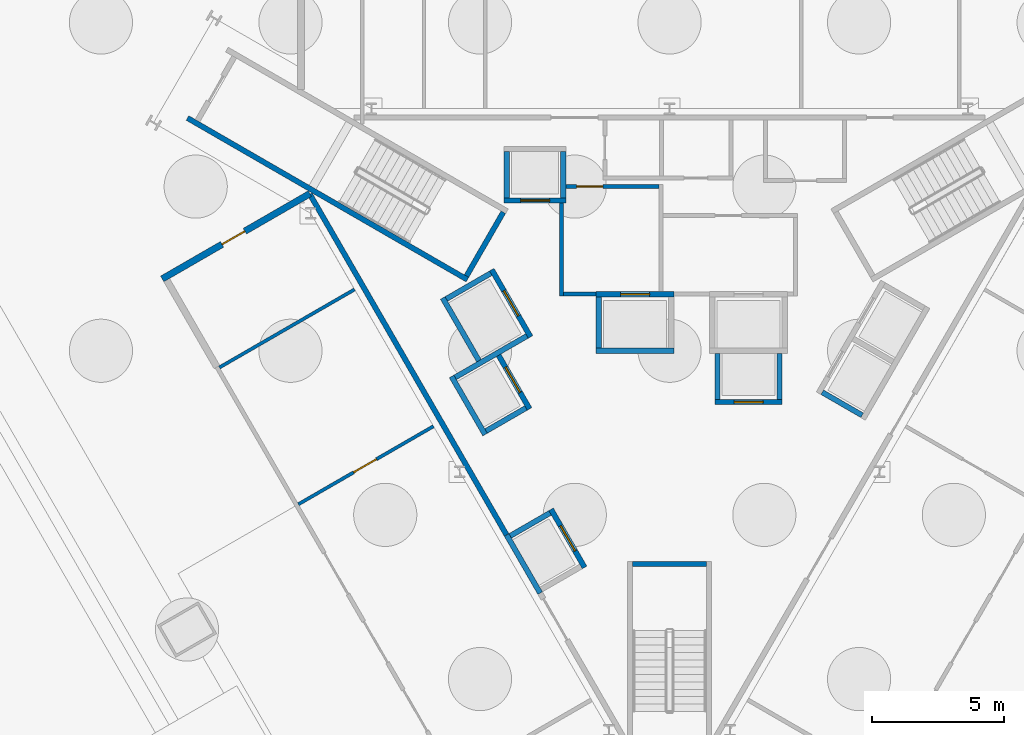
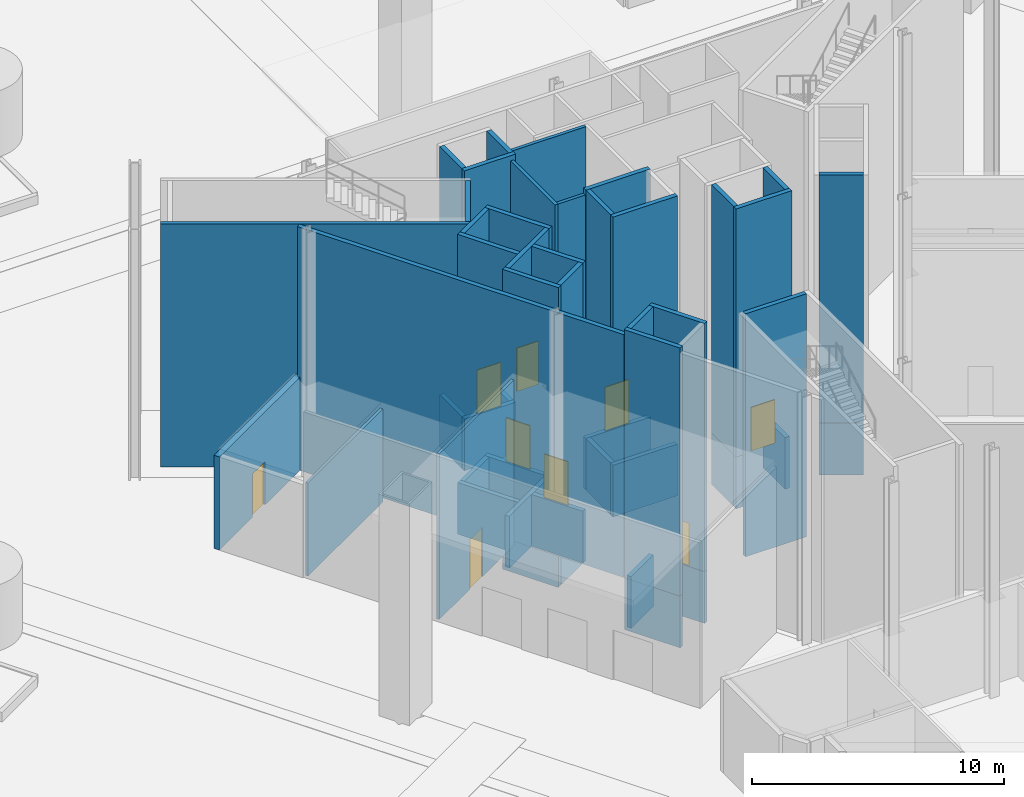
# One storey, part 6 of 22: 50 walls, 9 doors, 9 openings.
"""IFC4 building model written with IfcOpenShell, lengths in metres."""

from ifc_helpers import new_model, si_unit, direction, frame, frame_2d, origin, place, context, subcontext, project, spatial, rectangle, extrude, material, layer, layer_set, type_object, element, fill, save


model = new_model("IFC4")

# Units and contexts
model_context = context("Model", 3, precision=1e-05, world=origin(), true_north=direction((0.0, 1.0)))
body_context = subcontext(model_context, "Body", "Model", "MODEL_VIEW")
ifc_project = project(units=[si_unit("LENGTHUNIT", "METRE"), si_unit("AREAUNIT", "SQUARE_METRE"), si_unit("VOLUMEUNIT", "CUBIC_METRE"), si_unit("PLANEANGLEUNIT", "RADIAN"), si_unit("MASSUNIT", "GRAM", prefix="KILO")], contexts=[model_context])

# Site, building, storey
site_placement = place(None, origin())
site = spatial("IfcSite", under=ifc_project, at=site_placement, CompositionType="ELEMENT")
building_placement = place(site_placement, origin())
building = spatial("IfcBuilding", under=site, at=building_placement, Name="Verrane Prism Tower", CompositionType="ELEMENT")
storey_placement = place(building_placement, origin())
storey = spatial("IfcBuildingStorey", under=building, at=storey_placement, Name="L00", CompositionType="ELEMENT", Elevation=0.0)

# Wall
ifc_material_1 = material(Name="Concrete C25/30", Category="concrete")
ifc_layer_1 = layer(ifc_material_1, 0.125)
ifc_layer_set_1 = layer_set([ifc_layer_1], Name="CB-125 concrete block demising wall 3 h")
wall_type_1 = type_object("IfcWallType", Name="CB-125 concrete block demising wall 3 h", PredefinedType="SOLIDWALL", material=ifc_layer_set_1)
wall_1_placement = place(storey_placement, frame((-17.09912109375, -0.634521484375, 0.0), z_axis=(0.0, 0.0, 1.0), x_axis=(0.866069644281, 0.499923365382, 0.0)))
element("IfcWall", 1, at=wall_1_placement, inside=storey, type_object=wall_type_1, Name="Demising wall 003", PredefinedType="SOLIDWALL", context=body_context, shape_type="SweptSolid", body=[
    extrude(rectangle(XDim=5.92578125, YDim=0.125, at=frame_2d((2.962890625, 0.0))), origin(), (0.0, 0.0, 1.0), 4.5),
])

# Wall, opening, door
wall_2_placement = place(storey_placement, frame((-14.09912109375, -5.83056640625, 0.0), z_axis=(0.0, 0.0, 1.0), x_axis=(0.866051805705, 0.499954267743, 0.0)))
wall_2 = element("IfcWall", 2, at=wall_2_placement, inside=storey, type_object=wall_type_1, Name="Demising wall 005", PredefinedType="SOLIDWALL", context=body_context, shape_type="SweptSolid", body=[
    extrude(rectangle(XDim=5.92578125, YDim=0.125, at=frame_2d((2.962890625, 0.0))), origin(), (0.0, 0.0, 1.0), 8.0),
])
opening_1_placement = place(wall_2_placement, frame((2.425048828125, 0.0, 0.0)))
opening_1 = element("IfcOpeningElement", 3, at=opening_1_placement, cuts=wall_2, Name="Opening D00018", PredefinedType="OPENING", context=body_context, shape_type="SweptSolid", body=[
    extrude(rectangle(XDim=1.0, YDim=2.39990234375, at=frame_2d((0.5, 1.199951171875))), frame((0.0, 0.072509765625, 0.0), z_axis=(0.0, -1.0, 0.0), x_axis=(1.0, 0.0, 0.0)), (0.0, 0.0, 1.0), 0.14501953125),
])
ifc_material_2 = material(Name="Timber veneered door leaf", Category="wood")
door_type_1 = type_object("IfcDoorType", Name="DR-1000x2400 single leaf room", OperationType="NOTDEFINED", PredefinedType="DOOR", material=ifc_material_2)
door_1_placement = place(opening_1_placement, origin())
door_1 = element("IfcDoor", 4, at=door_1_placement, inside=storey, type_object=door_type_1, Name="Door Residences Concierge Office", OperationType="SINGLE_SWING_RIGHT", OverallHeight=2.39990234375, OverallWidth=1.0, PredefinedType="DOOR", context=body_context, shape_type="SweptSolid", body=[
    extrude(rectangle(XDim=1.0, YDim=2.39990234375, at=frame_2d((0.5, 1.199951171875))), frame((0.0, 0.02490234375, 0.0), z_axis=(0.0, -1.0, 0.0), x_axis=(1.0, 0.0, 0.0)), (0.0, 0.0, 1.0), 0.050048828125),
])
fill(opening_1, door_1)

# Walls
ifc_material_3 = material(Name="Gypsum board partition", Category="other")
ifc_layer_2 = layer(ifc_material_3, 0.199951171875)
ifc_layer_set_2 = layer_set([ifc_layer_2], Name="CW-200 core boundary wall 2 h")
wall_type_2 = type_object("IfcWallType", Name="CW-200 core boundary wall 2 h", PredefinedType="PARTITIONING", material=ifc_layer_set_2)
wall_3_placement = place(storey_placement, frame((-13.666015625, 5.950439453125, 0.0), z_axis=(0.0, 0.0, 1.0), x_axis=(0.499971736997, -0.866041720822, 0.0)))
element("IfcWall", 5, at=wall_3_placement, inside=storey, type_object=wall_type_2, Name="Core boundary wall CW3-001", PredefinedType="PARTITIONING", context=body_context, shape_type="SweptSolid", body=[
    extrude(rectangle(XDim=14.948974609375, YDim=0.199951171875, at=frame_2d((7.474609375, 0.0))), origin(), (0.0, 0.0, 1.0), 11.75),
])
ifc_material_4 = material(Name="Concrete C40/50", Category="concrete")
ifc_layer_3 = layer(ifc_material_4, 0.199951171875)
ifc_layer_set_3 = layer_set([ifc_layer_3], Name="CW-200 stair core wall concrete C40/50 3 h")
wall_type_3 = type_object("IfcWallType", Name="CW-200 stair core wall concrete C40/50 3 h", PredefinedType="PARTITIONING", material=ifc_layer_set_3)
wall_4_placement = place(storey_placement, frame((-7.67822265625, 2.700927734375, 0.0), z_axis=(0.0, 0.0, 1.0), x_axis=(-0.866020046725, 0.500009278584, 0.0)))
element("IfcWall", 6, at=wall_4_placement, inside=storey, type_object=wall_type_3, Name="Stair 2 enclosure wall", PredefinedType="PARTITIONING", context=body_context, shape_type="SweptSolid", body=[
    extrude(rectangle(XDim=12.280029296875, YDim=0.199951171875, at=frame_2d((6.14013671875, 0.0))), origin(), (0.0, 0.0, 1.0), 11.75),
])
wall_5_placement = place(storey_placement, frame((-6.314697265625, 5.262451171875, 0.0), z_axis=(0.0, 0.0, 1.0), x_axis=(-0.500049511043, -0.865996816683, 0.0)))
element("IfcWall", 7, at=wall_5_placement, inside=storey, type_object=wall_type_3, Name="Stair 2 enclosure wall", PredefinedType="PARTITIONING", context=body_context, shape_type="SweptSolid", body=[
    extrude(rectangle(XDim=2.800048828125, YDim=0.199951171875, at=frame_2d((1.39990234375, 0.0))), origin(), (0.0, 0.0, 1.0), 11.75),
])
wall_6_placement = place(storey_placement, frame((-1.39990234375, -8.10009765625, 0.0), z_axis=(0.0, 0.0, 1.0), x_axis=(1.0, 0.0, 0.0)))
element("IfcWall", 8, at=wall_6_placement, inside=storey, type_object=wall_type_3, Name="Stair 3 enclosure wall", PredefinedType="PARTITIONING", context=body_context, shape_type="SweptSolid", body=[
    extrude(rectangle(XDim=2.7998046875, YDim=0.199951171875, at=frame_2d((1.39990234375, 0.0))), origin(), (0.0, 0.0, 1.0), 11.75),
])

# Wall, opening, door
ifc_material_5 = material(Name="Concrete C30/37", Category="concrete")
ifc_layer_4 = layer(ifc_material_5, 0.25)
ifc_layer_set_4 = layer_set([ifc_layer_4], Name="EW-250 service enclosure wall")
wall_type_4 = type_object("IfcWallType", Name="EW-250 service enclosure wall", PredefinedType="SOLIDWALL", material=ifc_layer_set_4)
wall_7_placement = place(storey_placement, frame((-13.662109375, 5.968017578125, 0.0), z_axis=(0.0, 0.0, 1.0), x_axis=(-0.866056929317, -0.499945392201, 0.0)))
wall_7 = element("IfcWall", 9, at=wall_7_placement, inside=storey, type_object=wall_type_4, Name="Service room wall 002", PredefinedType="SOLIDWALL", context=body_context, shape_type="SweptSolid", body=[
    extrude(rectangle(XDim=6.477783203125, YDim=0.25, at=frame_2d((3.23876953125, 0.0))), origin(), (0.0, 0.0, 1.0), 4.5),
])
opening_2_placement = place(wall_7_placement, frame((2.852783203125, 0.0, 0.0)))
opening_2 = element("IfcOpeningElement", 10, at=opening_2_placement, cuts=wall_7, Name="Opening D00019", PredefinedType="OPENING", context=body_context, shape_type="SweptSolid", body=[
    extrude(rectangle(XDim=1.0, YDim=2.10009765625, at=frame_2d((0.5, 1.050048828125))), frame((0.0, 0.135009765625, 0.0), z_axis=(0.0, -1.0, 0.0), x_axis=(1.0, 0.0, 0.0)), (0.0, 0.0, 1.0), 0.27001953125),
])
ifc_material_6 = material(Name="Aluminium and glass door leaf", Category="aluminium")
door_type_2 = type_object("IfcDoorType", Name="DR-1000x2100 single leaf exit", OperationType="NOTDEFINED", PredefinedType="DOOR", material=ifc_material_6)
door_2_placement = place(opening_2_placement, frame((1.0, 0.0, 0.0), z_axis=(0.0, 0.0, 1.0), x_axis=(-1.0, 0.0, 0.0)))
door_2 = element("IfcDoor", 11, at=door_2_placement, inside=storey, type_object=door_type_2, Name="Exit door Parcel Room", OperationType="SINGLE_SWING_RIGHT", OverallHeight=2.10009765625, OverallWidth=1.0, PredefinedType="DOOR", context=body_context, shape_type="SweptSolid", body=[
    extrude(rectangle(XDim=1.0, YDim=2.10009765625, at=frame_2d((0.5, 1.050048828125))), frame((0.0, 0.02490234375, 0.0), z_axis=(0.0, -1.0, 0.0), x_axis=(1.0, 0.0, 0.0)), (0.0, 0.0, 1.0), 0.050048828125),
])
fill(opening_2, door_2)

ifc_material_7 = material(Name="Gypsum board shaft wall assembly", Category="other")
ifc_layer_5 = layer(ifc_material_7, 0.199951171875)
ifc_layer_set_5 = layer_set([ifc_layer_5], Name="HW-200 lift shaft wall 2 h")
wall_type_5 = type_object("IfcWallType", Name="HW-200 lift shaft wall 2 h", PredefinedType="PARTITIONING", material=ifc_layer_set_5)
wall_8_placement = place(storey_placement, frame((1.72509765625, -1.949951171875, 0.0), z_axis=(0.0, 0.0, 1.0), x_axis=(1.0, 0.0, 0.0)))
wall_8 = element("IfcWall", 12, at=wall_8_placement, inside=storey, type_object=wall_type_5, Name="Lift shaft wall", PredefinedType="PARTITIONING", context=body_context, shape_type="SweptSolid", body=[
    extrude(rectangle(XDim=2.5498046875, YDim=0.199951171875, at=frame_2d((1.27490234375, 0.0))), origin(), (0.0, 0.0, 1.0), 12.0),
])
opening_3_placement = place(wall_8_placement, frame((0.72509765625, 0.0, 0.0)))
opening_3 = element("IfcOpeningElement", 13, at=opening_3_placement, cuts=wall_8, Name="Opening D00511", PredefinedType="OPENING", context=body_context, shape_type="SweptSolid", body=[
    extrude(rectangle(XDim=1.10009765625, YDim=2.10009765625, at=frame_2d((0.550048828125, 1.050048828125))), frame((0.0, 0.10986328125, 0.0), z_axis=(0.0, -1.0, 0.0), x_axis=(1.0, 0.0, 0.0)), (0.0, 0.0, 1.0), 0.219970703125),
])
ifc_material_8 = material(Name="Stainless steel sliding landing door", Category="steel")
door_type_3 = type_object("IfcDoorType", Name="LD-1100x2100 lift landing door FD90 sliding", OperationType="NOTDEFINED", PredefinedType="DOOR", material=ifc_material_8)
door_3_placement = place(opening_3_placement, origin())
door_3 = element("IfcDoor", 14, at=door_3_placement, inside=storey, type_object=door_type_3, Name="Retail lift 2 landing door", OperationType="SLIDING_TO_RIGHT", OverallHeight=2.10009765625, OverallWidth=1.10009765625, PredefinedType="DOOR", context=body_context, shape_type="SweptSolid", body=[
    extrude(rectangle(XDim=1.10009765625, YDim=2.10009765625, at=frame_2d((0.550048828125, 1.050048828125))), frame((0.0, 0.02490234375, 0.0), z_axis=(0.0, -1.0, 0.0), x_axis=(1.0, 0.0, 0.0)), (0.0, 0.0, 1.0), 0.050048828125),
])
fill(opening_3, door_3)

# Wall
wall_9_placement = place(storey_placement, frame((-2.784912109375, 0.0, 0.0), z_axis=(0.0, 0.0, 1.0), x_axis=(1.0, 0.0, 0.0)))
element("IfcWall", 15, at=wall_9_placement, inside=storey, type_object=wall_type_5, Name="Lift shaft wall", PredefinedType="PARTITIONING", context=body_context, shape_type="SweptSolid", body=[
    extrude(rectangle(XDim=2.949951171875, YDim=0.199951171875, at=frame_2d((1.47509765625, 0.0))), origin(), (0.0, 0.0, 1.0), 12.0),
])

# Wall, opening, door
wall_10_placement = place(storey_placement, frame((-2.784912109375, 2.14990234375, 0.0), z_axis=(0.0, 0.0, 1.0), x_axis=(1.0, 0.0, 0.0)))
wall_10 = element("IfcWall", 16, at=wall_10_placement, inside=storey, type_object=wall_type_5, Name="Lift shaft wall", PredefinedType="PARTITIONING", context=body_context, shape_type="SweptSolid", body=[
    extrude(rectangle(XDim=2.949951171875, YDim=0.199951171875, at=frame_2d((1.47509765625, 0.0))), origin(), (0.0, 0.0, 1.0), 12.0),
])
opening_4_placement = place(wall_10_placement, frame((0.925048828125, 0.0, 0.0)))
opening_4 = element("IfcOpeningElement", 17, at=opening_4_placement, cuts=wall_10, Name="Opening D00507", PredefinedType="OPENING", context=body_context, shape_type="SweptSolid", body=[
    extrude(rectangle(XDim=1.10009765625, YDim=2.10009765625, at=frame_2d((0.550048828125, 1.050048828125))), frame((0.0, 0.10986328125, 0.0), z_axis=(0.0, -1.0, 0.0), x_axis=(1.0, 0.0, 0.0)), (0.0, 0.0, 1.0), 0.219970703125),
])
door_4_placement = place(opening_4_placement, origin())
door_4 = element("IfcDoor", 18, at=door_4_placement, inside=storey, type_object=door_type_3, Name="Fire service lift 1 landing door", OperationType="SLIDING_TO_LEFT", OverallHeight=2.10009765625, OverallWidth=1.10009765625, PredefinedType="DOOR", context=body_context, shape_type="SweptSolid", body=[
    extrude(rectangle(XDim=1.10009765625, YDim=2.10009765625, at=frame_2d((0.550048828125, 1.050048828125))), frame((0.0, 0.02490234375, 0.0), z_axis=(0.0, -1.0, 0.0), x_axis=(1.0, 0.0, 0.0)), (0.0, 0.0, 1.0), 0.050048828125),
])
fill(opening_4, door_4)

wall_11_placement = place(storey_placement, frame((-6.284912109375, 5.7099609375, 0.0), z_axis=(0.0, 0.0, 1.0), x_axis=(1.0, 0.0, 0.0)))
wall_11 = element("IfcWall", 19, at=wall_11_placement, inside=storey, type_object=wall_type_5, Name="Lift shaft wall", PredefinedType="PARTITIONING", context=body_context, shape_type="SweptSolid", body=[
    extrude(rectangle(XDim=2.349853515625, YDim=0.199951171875, at=frame_2d((1.1748046875, 0.0))), origin(), (0.0, 0.0, 1.0), 12.0),
])
opening_5_placement = place(wall_11_placement, frame((0.625, 0.0, 0.0)))
opening_5 = element("IfcOpeningElement", 20, at=opening_5_placement, cuts=wall_11, Name="Opening D00504", PredefinedType="OPENING", context=body_context, shape_type="SweptSolid", body=[
    extrude(rectangle(XDim=1.10009765625, YDim=2.10009765625, at=frame_2d((0.550048828125, 1.050048828125))), frame((0.0, 0.10986328125, 0.0), z_axis=(0.0, -1.0, 0.0), x_axis=(1.0, 0.0, 0.0)), (0.0, 0.0, 1.0), 0.219970703125),
])
door_5_placement = place(opening_5_placement, origin())
door_5 = element("IfcDoor", 21, at=door_5_placement, inside=storey, type_object=door_type_3, Name="Shuttle lift 2 landing door", OperationType="SLIDING_TO_RIGHT", OverallHeight=2.10009765625, OverallWidth=1.10009765625, PredefinedType="DOOR", context=body_context, shape_type="SweptSolid", body=[
    extrude(rectangle(XDim=1.10009765625, YDim=2.10009765625, at=frame_2d((0.550048828125, 1.050048828125))), frame((0.0, 0.02490234375, 0.0), z_axis=(0.0, -1.0, 0.0), x_axis=(1.0, 0.0, 0.0)), (0.0, 0.0, 1.0), 0.050048828125),
])
fill(opening_5, door_5)

# Walls
for number, where, z_axis, x_axis, name in (
    (22, (-6.053955078125, -7.034423828125, 0.0), (0.0, 0.0, 1.0), (0.866036909293, 0.499980071345, 0.0), "Lift shaft wall"),
    (23, (-6.9697265625, -3.048095703125, 0.0), (0.0, 0.0, 1.0), (0.866036909293, 0.499980071345, 0.0), "Lift shaft wall"),
):
    element("IfcWall", number, at=place(storey_placement, frame(where, z_axis=z_axis, x_axis=x_axis)), inside=storey, type_object=wall_type_5, Name=name, PredefinedType="PARTITIONING", context=body_context, shape_type="SweptSolid", body=[
        extrude(rectangle(XDim=1.75, YDim=0.199951171875, at=frame_2d((0.875, 0.0))), origin(), (0.0, 0.0, 1.0), 12.0),
    ])
wall_12_placement = place(storey_placement, frame((-8.14453125, -1.012939453125, 0.0), z_axis=(0.0, 0.0, 1.0), x_axis=(0.866016494683, 0.500015430699, 0.0)))
element("IfcWall", 24, at=wall_12_placement, inside=storey, type_object=wall_type_5, Name="Lift shaft wall", PredefinedType="PARTITIONING", context=body_context, shape_type="SweptSolid", body=[
    extrude(rectangle(XDim=3.14990234375, YDim=0.199951171875, at=frame_2d((1.574951171875, 0.0))), origin(), (0.0, 0.0, 1.0), 12.0),
])
wall_13_placement = place(storey_placement, frame((-8.48046875, 1.968505859375, 0.0), z_axis=(0.0, 0.0, 1.0), x_axis=(0.866000020948, 0.500043961785, 0.0)))
element("IfcWall", 25, at=wall_13_placement, inside=storey, type_object=wall_type_5, Name="Lift shaft wall", PredefinedType="PARTITIONING", context=body_context, shape_type="SweptSolid", body=[
    extrude(rectangle(XDim=1.949951171875, YDim=0.199951171875, at=frame_2d((0.97509765625, 0.0))), origin(), (0.0, 0.0, 1.0), 12.0),
])
for number, where, z_axis, x_axis, name in (
    (26, (4.175048828125, -1.85009765625, 0.0), (0.0, 0.0, 1.0), (0.0, 1.0, 0.0), "Lift shaft wall"),
    (27, (1.824951171875, -1.85009765625, 0.0), (0.0, 0.0, 1.0), (0.0, 1.0, 0.0), "Lift shaft wall"),
):
    element("IfcWall", number, at=place(storey_placement, frame(where, z_axis=z_axis, x_axis=x_axis)), inside=storey, type_object=wall_type_5, Name=name, PredefinedType="PARTITIONING", context=body_context, shape_type="SweptSolid", body=[
        extrude(rectangle(XDim=1.75, YDim=0.199951171875, at=frame_2d((0.875, 0.0))), origin(), (0.0, 0.0, 1.0), 12.0),
    ])
wall_14_placement = place(storey_placement, frame((-2.68505859375, 0.10009765625, 0.0), z_axis=(0.0, 0.0, 1.0), x_axis=(0.0, 1.0, 0.0)))
element("IfcWall", 28, at=wall_14_placement, inside=storey, type_object=wall_type_5, Name="Lift shaft wall", PredefinedType="PARTITIONING", context=body_context, shape_type="SweptSolid", body=[
    extrude(rectangle(XDim=1.949951171875, YDim=0.199951171875, at=frame_2d((0.97509765625, 0.0))), origin(), (0.0, 0.0, 1.0), 12.0),
])
for number, where, z_axis, x_axis, name in (
    (29, (-4.034912109375, 5.81005859375, 0.0), (0.0, 0.0, 1.0), (0.0, 1.0, 0.0), "Lift shaft wall"),
    (30, (-6.18505859375, 5.81005859375, 0.0), (0.0, 0.0, 1.0), (0.0, 1.0, 0.0), "Lift shaft wall"),
):
    element("IfcWall", number, at=place(storey_placement, frame(where, z_axis=z_axis, x_axis=x_axis)), inside=storey, type_object=wall_type_5, Name=name, PredefinedType="PARTITIONING", context=body_context, shape_type="SweptSolid", body=[
        extrude(rectangle(XDim=1.75, YDim=0.199951171875, at=frame_2d((0.875, 0.0))), origin(), (0.0, 0.0, 1.0), 12.0),
    ])

# Wall, opening, door
wall_15_placement = place(storey_placement, frame((-5.280029296875, 0.525390625, 0.0), z_axis=(0.0, 0.0, 1.0), x_axis=(-0.500037662692, 0.866003658127, 0.0)))
wall_15 = element("IfcWall", 31, at=wall_15_placement, inside=storey, type_object=wall_type_5, Name="Lift shaft wall", PredefinedType="PARTITIONING", context=body_context, shape_type="SweptSolid", body=[
    extrude(rectangle(XDim=2.949951171875, YDim=0.199951171875, at=frame_2d((1.47509765625, 0.0))), origin(), (0.0, 0.0, 1.0), 12.0),
])
opening_6_placement = place(wall_15_placement, frame((0.925048828125, 0.0, 0.0)))
opening_6 = element("IfcOpeningElement", 32, at=opening_6_placement, cuts=wall_15, Name="Opening D00509", PredefinedType="OPENING", context=body_context, shape_type="SweptSolid", body=[
    extrude(rectangle(XDim=1.10009765625, YDim=2.10009765625, at=frame_2d((0.550048828125, 1.050048828125))), frame((0.0, 0.10986328125, 0.0), z_axis=(0.0, -1.0, 0.0), x_axis=(1.0, 0.0, 0.0)), (0.0, 0.0, 1.0), 0.219970703125),
])
door_6_placement = place(opening_6_placement, origin())
door_6 = element("IfcDoor", 33, at=door_6_placement, inside=storey, type_object=door_type_3, Name="Service lift 1 landing door", OperationType="SLIDING_TO_LEFT", OverallHeight=2.10009765625, OverallWidth=1.10009765625, PredefinedType="DOOR", context=body_context, shape_type="SweptSolid", body=[
    extrude(rectangle(XDim=1.10009765625, YDim=2.10009765625, at=frame_2d((0.550048828125, 1.050048828125))), frame((0.0, 0.02490234375, 0.0), z_axis=(0.0, -1.0, 0.0), x_axis=(1.0, 0.0, 0.0)), (0.0, 0.0, 1.0), 0.050048828125),
])
fill(opening_6, door_6)

wall_16_placement = place(storey_placement, frame((-5.317626953125, -2.209716796875, 0.0), z_axis=(0.0, 0.0, 1.0), x_axis=(-0.499938297808, 0.866061024631, 0.0)))
wall_16 = element("IfcWall", 34, at=wall_16_placement, inside=storey, type_object=wall_type_5, Name="Lift shaft wall", PredefinedType="PARTITIONING", context=body_context, shape_type="SweptSolid", body=[
    extrude(rectangle(XDim=2.349853515625, YDim=0.199951171875, at=frame_2d((1.1748046875, 0.0))), origin(), (0.0, 0.0, 1.0), 12.0),
])
opening_7_placement = place(wall_16_placement, frame((0.72509765625, 0.0, 0.0)))
opening_7 = element("IfcOpeningElement", 35, at=opening_7_placement, cuts=wall_16, Name="Opening D00506", PredefinedType="OPENING", context=body_context, shape_type="SweptSolid", body=[
    extrude(rectangle(XDim=1.10009765625, YDim=2.10009765625, at=frame_2d((0.550048828125, 1.050048828125))), frame((0.0, 0.10986328125, 0.0), z_axis=(0.0, -1.0, 0.0), x_axis=(1.0, 0.0, 0.0)), (0.0, 0.0, 1.0), 0.219970703125),
])
door_7_placement = place(opening_7_placement, origin())
door_7 = element("IfcDoor", 36, at=door_7_placement, inside=storey, type_object=door_type_3, Name="Shuttle lift 4 landing door", OperationType="SLIDING_TO_RIGHT", OverallHeight=2.10009765625, OverallWidth=1.10009765625, PredefinedType="DOOR", context=body_context, shape_type="SweptSolid", body=[
    extrude(rectangle(XDim=1.10009765625, YDim=2.10009765625, at=frame_2d((0.550048828125, 1.050048828125))), frame((0.0, 0.02490234375, 0.0), z_axis=(0.0, -1.0, 0.0), x_axis=(1.0, 0.0, 0.0)), (0.0, 0.0, 1.0), 0.050048828125),
])
fill(opening_7, door_7)

# Wall
wall_17_placement = place(storey_placement, frame((-7.241943359375, -0.37646484375, 0.0), z_axis=(0.0, 0.0, 1.0), x_axis=(-0.499996545922, 0.866027397988, 0.0)))
element("IfcWall", 37, at=wall_17_placement, inside=storey, type_object=wall_type_5, Name="Lift shaft wall", PredefinedType="PARTITIONING", context=body_context, shape_type="SweptSolid", body=[
    extrude(rectangle(XDim=2.75, YDim=0.199951171875, at=frame_2d((1.375, 0.0))), origin(), (0.0, 0.0, 1.0), 12.0),
])

# Wall, opening, door
wall_18_placement = place(storey_placement, frame((-3.226806640625, -8.231201171875, 0.0), z_axis=(0.0, 0.0, 1.0), x_axis=(-0.499948979701, 0.866054858364, 0.0)))
wall_18 = element("IfcWall", 38, at=wall_18_placement, inside=storey, type_object=wall_type_5, Name="Lift shaft wall", PredefinedType="PARTITIONING", context=body_context, shape_type="SweptSolid", body=[
    extrude(rectangle(XDim=2.550048828125, YDim=0.199951171875, at=frame_2d((1.27490234375, 0.0))), origin(), (0.0, 0.0, 1.0), 12.0),
])
opening_8_placement = place(wall_18_placement, frame((0.72509765625, 0.0, 0.0)))
opening_8 = element("IfcOpeningElement", 39, at=opening_8_placement, cuts=wall_18, Name="Opening D00510", PredefinedType="OPENING", context=body_context, shape_type="SweptSolid", body=[
    extrude(rectangle(XDim=1.10009765625, YDim=2.10009765625, at=frame_2d((0.550048828125, 1.050048828125))), frame((0.0, 0.10986328125, 0.0), z_axis=(0.0, -1.0, 0.0), x_axis=(1.0, 0.0, 0.0)), (0.0, 0.0, 1.0), 0.219970703125),
])
door_8_placement = place(opening_8_placement, origin())
door_8 = element("IfcDoor", 40, at=door_8_placement, inside=storey, type_object=door_type_3, Name="Retail lift 1 landing door", OperationType="SLIDING_TO_LEFT", OverallHeight=2.10009765625, OverallWidth=1.10009765625, PredefinedType="DOOR", context=body_context, shape_type="SweptSolid", body=[
    extrude(rectangle(XDim=1.10009765625, YDim=2.10009765625, at=frame_2d((0.550048828125, 1.050048828125))), frame((0.0, 0.02490234375, 0.0), z_axis=(0.0, -1.0, 0.0), x_axis=(1.0, 0.0, 0.0)), (0.0, 0.0, 1.0), 0.050048828125),
])
fill(opening_8, door_8)

# Walls
for number, where, z_axis, x_axis, name in (
    (41, (-7.00634765625, -3.184814453125, 0.0), (0.0, 0.0, 1.0), (-0.499990435942, 0.866030925526, 0.0), "Lift shaft wall"),
    (42, (-4.91552734375, -9.2060546875, 0.0), (0.0, 0.0, 1.0), (-0.499990435942, 0.866030925526, 0.0), "Lift shaft wall"),
):
    element("IfcWall", number, at=place(storey_placement, frame(where, z_axis=z_axis, x_axis=x_axis)), inside=storey, type_object=wall_type_5, Name=name, PredefinedType="PARTITIONING", context=body_context, shape_type="SweptSolid", body=[
        extrude(rectangle(XDim=2.5498046875, YDim=0.199951171875, at=frame_2d((1.27490234375, 0.0))), origin(), (0.0, 0.0, 1.0), 12.0),
    ])
wall_19_placement = place(storey_placement, frame((7.314697265625, -2.45068359375, 0.0), z_axis=(0.0, 0.0, 1.0), x_axis=(-0.866036909293, 0.499980071345, 0.0)))
element("IfcWall", 43, at=wall_19_placement, inside=storey, type_object=wall_type_5, Name="Lift shaft wall", PredefinedType="PARTITIONING", context=body_context, shape_type="SweptSolid", body=[
    extrude(rectangle(XDim=1.75, YDim=0.199951171875, at=frame_2d((0.875, 0.0))), origin(), (0.0, 0.0, 1.0), 12.0),
])
wall_20_placement = place(storey_placement, frame((1.72509765625, -1.949951171875, -2.5), z_axis=(0.0, 0.0, 1.0), x_axis=(1.0, 0.0, 0.0)))
element("IfcWall", 44, at=wall_20_placement, inside=storey, type_object=wall_type_5, Name="Lift pit wall", PredefinedType="PARTITIONING", context=body_context, shape_type="SweptSolid", body=[
    extrude(rectangle(XDim=2.5498046875, YDim=0.199951171875, at=frame_2d((1.27490234375, 0.0))), origin(), (0.0, 0.0, 1.0), 2.5),
])
for number, where, z_axis, x_axis, name in (
    (45, (-2.784912109375, 0.0, -2.5), (0.0, 0.0, 1.0), (1.0, 0.0, 0.0), "Lift pit wall"),
    (46, (-2.784912109375, 2.14990234375, -2.5), (0.0, 0.0, 1.0), (1.0, 0.0, 0.0), "Lift pit wall"),
):
    element("IfcWall", number, at=place(storey_placement, frame(where, z_axis=z_axis, x_axis=x_axis)), inside=storey, type_object=wall_type_5, Name=name, PredefinedType="PARTITIONING", context=body_context, shape_type="SweptSolid", body=[
        extrude(rectangle(XDim=2.949951171875, YDim=0.199951171875, at=frame_2d((1.47509765625, 0.0))), origin(), (0.0, 0.0, 1.0), 2.5),
    ])
wall_21_placement = place(storey_placement, frame((-6.284912109375, 5.7099609375, -2.5), z_axis=(0.0, 0.0, 1.0), x_axis=(1.0, 0.0, 0.0)))
element("IfcWall", 47, at=wall_21_placement, inside=storey, type_object=wall_type_5, Name="Lift pit wall", PredefinedType="PARTITIONING", context=body_context, shape_type="SweptSolid", body=[
    extrude(rectangle(XDim=2.349853515625, YDim=0.199951171875, at=frame_2d((1.1748046875, 0.0))), origin(), (0.0, 0.0, 1.0), 2.5),
])
for number, where, z_axis, x_axis, name in (
    (48, (-6.053955078125, -7.034423828125, -2.5), (0.0, 0.0, 1.0), (0.866036909293, 0.499980071345, 0.0), "Lift pit wall"),
    (49, (-6.9697265625, -3.048095703125, -2.5), (0.0, 0.0, 1.0), (0.866036909293, 0.499980071345, 0.0), "Lift pit wall"),
):
    element("IfcWall", number, at=place(storey_placement, frame(where, z_axis=z_axis, x_axis=x_axis)), inside=storey, type_object=wall_type_5, Name=name, PredefinedType="PARTITIONING", context=body_context, shape_type="SweptSolid", body=[
        extrude(rectangle(XDim=1.75, YDim=0.199951171875, at=frame_2d((0.875, 0.0))), origin(), (0.0, 0.0, 1.0), 2.5),
    ])
wall_22_placement = place(storey_placement, frame((-8.14453125, -1.012939453125, -2.5), z_axis=(0.0, 0.0, 1.0), x_axis=(0.866016494683, 0.500015430699, 0.0)))
element("IfcWall", 50, at=wall_22_placement, inside=storey, type_object=wall_type_5, Name="Lift pit wall", PredefinedType="PARTITIONING", context=body_context, shape_type="SweptSolid", body=[
    extrude(rectangle(XDim=3.14990234375, YDim=0.199951171875, at=frame_2d((1.574951171875, 0.0))), origin(), (0.0, 0.0, 1.0), 2.5),
])
wall_23_placement = place(storey_placement, frame((-8.48046875, 1.968505859375, -2.5), z_axis=(0.0, 0.0, 1.0), x_axis=(0.866000020948, 0.500043961785, 0.0)))
element("IfcWall", 51, at=wall_23_placement, inside=storey, type_object=wall_type_5, Name="Lift pit wall", PredefinedType="PARTITIONING", context=body_context, shape_type="SweptSolid", body=[
    extrude(rectangle(XDim=1.949951171875, YDim=0.199951171875, at=frame_2d((0.97509765625, 0.0))), origin(), (0.0, 0.0, 1.0), 2.5),
])
for number, where, z_axis, x_axis, name in (
    (52, (4.175048828125, -1.85009765625, -2.5), (0.0, 0.0, 1.0), (0.0, 1.0, 0.0), "Lift pit wall"),
    (53, (1.824951171875, -1.85009765625, -2.5), (0.0, 0.0, 1.0), (0.0, 1.0, 0.0), "Lift pit wall"),
):
    element("IfcWall", number, at=place(storey_placement, frame(where, z_axis=z_axis, x_axis=x_axis)), inside=storey, type_object=wall_type_5, Name=name, PredefinedType="PARTITIONING", context=body_context, shape_type="SweptSolid", body=[
        extrude(rectangle(XDim=1.75, YDim=0.199951171875, at=frame_2d((0.875, 0.0))), origin(), (0.0, 0.0, 1.0), 2.5),
    ])
wall_24_placement = place(storey_placement, frame((-2.68505859375, 0.10009765625, -2.5), z_axis=(0.0, 0.0, 1.0), x_axis=(0.0, 1.0, 0.0)))
element("IfcWall", 54, at=wall_24_placement, inside=storey, type_object=wall_type_5, Name="Lift pit wall", PredefinedType="PARTITIONING", context=body_context, shape_type="SweptSolid", body=[
    extrude(rectangle(XDim=1.949951171875, YDim=0.199951171875, at=frame_2d((0.97509765625, 0.0))), origin(), (0.0, 0.0, 1.0), 2.5),
])
for number, where, z_axis, x_axis, name in (
    (55, (-4.034912109375, 5.81005859375, -2.5), (0.0, 0.0, 1.0), (0.0, 1.0, 0.0), "Lift pit wall"),
    (56, (-6.18505859375, 5.81005859375, -2.5), (0.0, 0.0, 1.0), (0.0, 1.0, 0.0), "Lift pit wall"),
):
    element("IfcWall", number, at=place(storey_placement, frame(where, z_axis=z_axis, x_axis=x_axis)), inside=storey, type_object=wall_type_5, Name=name, PredefinedType="PARTITIONING", context=body_context, shape_type="SweptSolid", body=[
        extrude(rectangle(XDim=1.75, YDim=0.199951171875, at=frame_2d((0.875, 0.0))), origin(), (0.0, 0.0, 1.0), 2.5),
    ])
wall_25_placement = place(storey_placement, frame((-5.280029296875, 0.525390625, -2.5), z_axis=(0.0, 0.0, 1.0), x_axis=(-0.500037662692, 0.866003658127, 0.0)))
element("IfcWall", 57, at=wall_25_placement, inside=storey, type_object=wall_type_5, Name="Lift pit wall", PredefinedType="PARTITIONING", context=body_context, shape_type="SweptSolid", body=[
    extrude(rectangle(XDim=2.949951171875, YDim=0.199951171875, at=frame_2d((1.47509765625, 0.0))), origin(), (0.0, 0.0, 1.0), 2.5),
])
wall_26_placement = place(storey_placement, frame((-5.317626953125, -2.209716796875, -2.5), z_axis=(0.0, 0.0, 1.0), x_axis=(-0.499938297808, 0.866061024631, 0.0)))
element("IfcWall", 58, at=wall_26_placement, inside=storey, type_object=wall_type_5, Name="Lift pit wall", PredefinedType="PARTITIONING", context=body_context, shape_type="SweptSolid", body=[
    extrude(rectangle(XDim=2.349853515625, YDim=0.199951171875, at=frame_2d((1.1748046875, 0.0))), origin(), (0.0, 0.0, 1.0), 2.5),
])
wall_27_placement = place(storey_placement, frame((-7.241943359375, -0.37646484375, -2.5), z_axis=(0.0, 0.0, 1.0), x_axis=(-0.499996545922, 0.866027397988, 0.0)))
element("IfcWall", 59, at=wall_27_placement, inside=storey, type_object=wall_type_5, Name="Lift pit wall", PredefinedType="PARTITIONING", context=body_context, shape_type="SweptSolid", body=[
    extrude(rectangle(XDim=2.75, YDim=0.199951171875, at=frame_2d((1.375, 0.0))), origin(), (0.0, 0.0, 1.0), 2.5),
])
wall_28_placement = place(storey_placement, frame((-3.226806640625, -8.231201171875, -2.5), z_axis=(0.0, 0.0, 1.0), x_axis=(-0.499948979701, 0.866054858364, 0.0)))
element("IfcWall", 60, at=wall_28_placement, inside=storey, type_object=wall_type_5, Name="Lift pit wall", PredefinedType="PARTITIONING", context=body_context, shape_type="SweptSolid", body=[
    extrude(rectangle(XDim=2.550048828125, YDim=0.199951171875, at=frame_2d((1.27490234375, 0.0))), origin(), (0.0, 0.0, 1.0), 2.5),
])
for number, where, z_axis, x_axis, name in (
    (61, (-7.00634765625, -3.184814453125, -2.5), (0.0, 0.0, 1.0), (-0.499990435942, 0.866030925526, 0.0), "Lift pit wall"),
    (62, (-4.91552734375, -9.2060546875, -2.5), (0.0, 0.0, 1.0), (-0.499990435942, 0.866030925526, 0.0), "Lift pit wall"),
):
    element("IfcWall", number, at=place(storey_placement, frame(where, z_axis=z_axis, x_axis=x_axis)), inside=storey, type_object=wall_type_5, Name=name, PredefinedType="PARTITIONING", context=body_context, shape_type="SweptSolid", body=[
        extrude(rectangle(XDim=2.5498046875, YDim=0.199951171875, at=frame_2d((1.27490234375, 0.0))), origin(), (0.0, 0.0, 1.0), 2.5),
    ])
wall_29_placement = place(storey_placement, frame((7.314697265625, -2.45068359375, -2.5), z_axis=(0.0, 0.0, 1.0), x_axis=(-0.866036909293, 0.499980071345, 0.0)))
element("IfcWall", 63, at=wall_29_placement, inside=storey, type_object=wall_type_5, Name="Lift pit wall", PredefinedType="PARTITIONING", context=body_context, shape_type="SweptSolid", body=[
    extrude(rectangle(XDim=1.75, YDim=0.199951171875, at=frame_2d((0.875, 0.0))), origin(), (0.0, 0.0, 1.0), 2.5),
])
ifc_material_9 = material(Name="Gypsum board partition", Category="other")
ifc_layer_6 = layer(ifc_material_9, 0.14990234375)
ifc_layer_set_6 = layer_set([ifc_layer_6], Name="LF-150 firefighting lobby wall 1 h")
wall_type_6 = type_object("IfcWallType", Name="LF-150 firefighting lobby wall 1 h", PredefinedType="PARTITIONING", material=ifc_layer_set_6)
wall_30_placement = place(storey_placement, frame((-4.10009765625, 2.0849609375, 0.0), z_axis=(0.0, 0.0, 1.0), x_axis=(0.0, 1.0, 0.0)))
element("IfcWall", 64, at=wall_30_placement, inside=storey, type_object=wall_type_6, Name="Firefighting lobby wall LF1-001", PredefinedType="PARTITIONING", context=body_context, shape_type="SweptSolid", body=[
    extrude(rectangle(XDim=3.52294921875, YDim=0.14990234375, at=frame_2d((1.761474609375, 0.0))), origin(), (0.0, 0.0, 1.0), 11.75),
])
wall_31_placement = place(storey_placement, frame((-4.02490234375, 2.159912109375, 0.0), z_axis=(0.0, 0.0, 1.0), x_axis=(1.0, 0.0, 0.0)))
element("IfcWall", 65, at=wall_31_placement, inside=storey, type_object=wall_type_6, Name="Firefighting lobby wall LF1-002", PredefinedType="PARTITIONING", context=body_context, shape_type="SweptSolid", body=[
    extrude(rectangle(XDim=1.23779296875, YDim=0.14990234375, at=frame_2d((0.618896484375, 0.0))), origin(), (0.0, 0.0, 1.0), 11.75),
])

# Wall, opening, door
wall_32_placement = place(storey_placement, frame((-3.93310546875, 6.239990234375, 0.0), z_axis=(0.0, 0.0, 1.0), x_axis=(1.0, 0.0, 0.0)))
wall_32 = element("IfcWall", 66, at=wall_32_placement, inside=storey, type_object=wall_type_6, Name="Firefighting lobby wall LF1-003", PredefinedType="PARTITIONING", context=body_context, shape_type="SweptSolid", body=[
    extrude(rectangle(XDim=3.5380859375, YDim=0.14990234375, at=frame_2d((1.76904296875, 0.0))), origin(), (0.0, 0.0, 1.0), 11.75),
])
opening_9_placement = place(wall_32_placement, frame((0.39990234375, 0.0, 0.0)))
opening_9 = element("IfcOpeningElement", 67, at=opening_9_placement, cuts=wall_32, Name="Opening D00515", PredefinedType="OPENING", context=body_context, shape_type="SweptSolid", body=[
    extrude(rectangle(XDim=1.0, YDim=2.10009765625, at=frame_2d((0.5, 1.050048828125))), frame((0.0, 0.0849609375, 0.0), z_axis=(0.0, -1.0, 0.0), x_axis=(1.0, 0.0, 0.0)), (0.0, 0.0, 1.0), 0.169921875),
])
ifc_material_10 = material(Name="Timber veneered door leaf", Category="wood")
door_type_4 = type_object("IfcDoorType", Name="DR-1000x2100 FD60 single leaf firefighting lobby", OperationType="NOTDEFINED", PredefinedType="DOOR", material=ifc_material_10)
door_9_placement = place(opening_9_placement, origin())
door_9 = element("IfcDoor", 68, at=door_9_placement, inside=storey, type_object=door_type_4, Name="Firefighting lobby door D00515", OperationType="SINGLE_SWING_LEFT", OverallHeight=2.10009765625, OverallWidth=1.0, PredefinedType="DOOR", context=body_context, shape_type="SweptSolid", body=[
    extrude(rectangle(XDim=1.0, YDim=2.10009765625, at=frame_2d((0.5, 1.050048828125))), frame((0.0, 0.02490234375, 0.0), z_axis=(0.0, -1.0, 0.0), x_axis=(1.0, 0.0, 0.0)), (0.0, 0.0, 1.0), 0.050048828125),
])
fill(opening_9, door_9)

save(model, "model.ifc")
